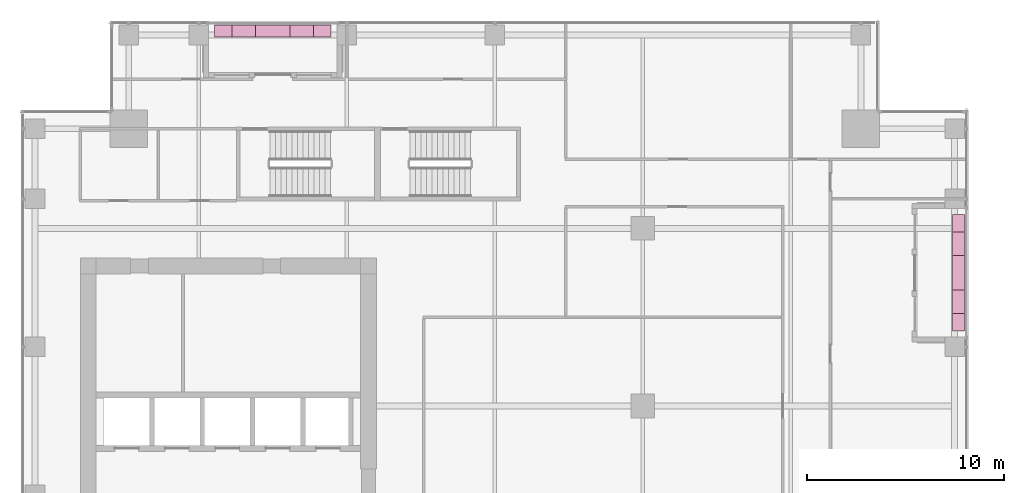
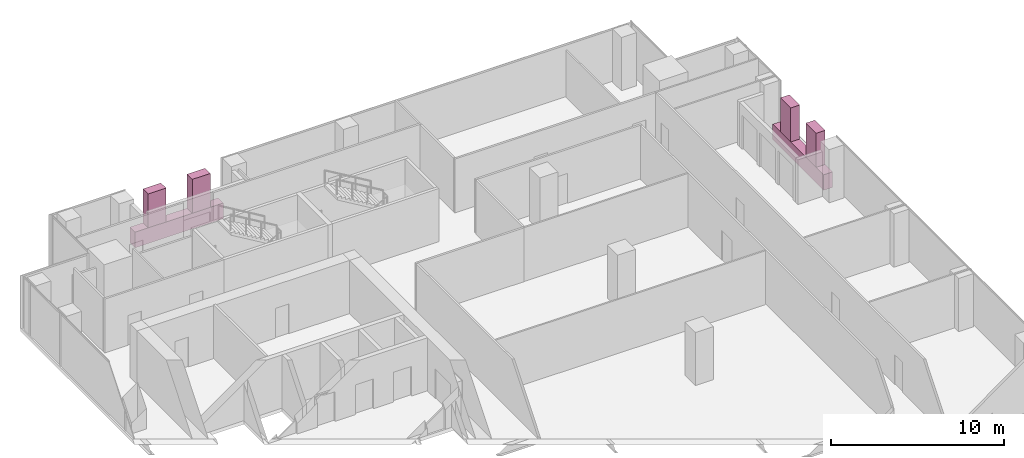
# One storey, part 40 of 40: 6 furnishings.
"""IFC4 building model written with IfcOpenShell, lengths in metres."""

from ifc_helpers import new_model, si_unit, direction, frame, origin, origin_2d, place, context, subcontext, project, spatial, rectangle, extrude, source, transform, mapped, material, type_object, element, save


model = new_model("IFC4")

# Units and contexts
model_context = context("Model", 3, precision=1e-05, world=origin(), true_north=direction((0.0, 1.0)))
body_context = subcontext(model_context, "Body", "Model", "MODEL_VIEW")
ifc_project = project(units=[si_unit("LENGTHUNIT", "METRE"), si_unit("AREAUNIT", "SQUARE_METRE"), si_unit("VOLUMEUNIT", "CUBIC_METRE"), si_unit("PLANEANGLEUNIT", "RADIAN"), si_unit("MASSUNIT", "GRAM", prefix="KILO")], contexts=[model_context])

# Site, building, storey
site_placement = place(None, origin())
site = spatial("IfcSite", under=ifc_project, at=site_placement, CompositionType="ELEMENT")
building_placement = place(site_placement, origin())
building = spatial("IfcBuilding", under=site, at=building_placement, Name="Khomas Fold Tower", CompositionType="ELEMENT")
storey_placement = place(building_placement, frame((0.0, 0.0, 192.699951171875)))
storey = spatial("IfcBuildingStorey", under=building, at=storey_placement, Name="L42", CompositionType="ELEMENT", Elevation=192.699951171875)

# Furnishings
ifc_material_1 = material(Name="Precast concrete C40/50", Category="concrete")
furnishing_element_type_1 = type_object("IfcFurnishingElementType", Name="BL-Structural planter box", material=ifc_material_1)
shared_shape_1 = source(origin(), body_context, "Body", "SweptSolid", [
    extrude(rectangle(XDim=5.89990234375, YDim=0.60009765625, at=origin_2d()), origin(), (0.0, 0.0, 1.0), 1.10009765625),
])
for number, where, z_axis, x_axis, name in (
    (1, (50.5, 38.25, -0.044921875), (0.0, 0.0, 1.0), (0.0, 1.0, 0.0), "PLANTER BAL-L42-E4"),
    (2, (15.75, 50.5, -0.044921875), (0.0, 0.0, 1.0), (1.0, 0.0, 0.0), "PLANTER BAL-L42-N1"),
):
    element("IfcFurnishingElement", number, at=place(storey_placement, frame(where, z_axis=z_axis, x_axis=x_axis)), inside=storey, type_object=furnishing_element_type_1, Name=name, context=body_context, shape_type="MappedRepresentation", body=[
        mapped(shared_shape_1, transform((0.0, 0.0, 0.0))),
    ])
ifc_material_2 = material(Name="Planting")
furnishing_element_type_2 = type_object("IfcFurnishingElementType", Name="BL-Tree Shepherd's tree", material=ifc_material_2)
shared_shape_2 = source(origin(), body_context, "Body", "SweptSolid", [
    extrude(rectangle(XDim=1.199951171875, YDim=0.60009765625, at=origin_2d()), origin(), (0.0, 0.0, 1.0), 2.39501953125),
])
furnishing_1_placement = place(storey_placement, frame((50.5, 36.77490234375, 1.054931640625), z_axis=(0.0, 0.0, 1.0), x_axis=(0.0, 1.0, 0.0)))
element("IfcFurnishingElement", 3, at=furnishing_1_placement, inside=storey, type_object=furnishing_element_type_2, Name="PLANTER (TREE) Shepherd's tree BAL-L42-E4-1", context=body_context, shape_type="MappedRepresentation", body=[
    mapped(shared_shape_2, transform((0.0, 0.0, 0.0))),
])
ifc_material_3 = material(Name="Planting")
furnishing_element_type_3 = type_object("IfcFurnishingElementType", Name="BL-Tree Karee", material=ifc_material_3)
furnishing_2_placement = place(storey_placement, frame((50.5, 39.72509765625, 1.054931640625), z_axis=(0.0, 0.0, 1.0), x_axis=(0.0, 1.0, 0.0)))
element("IfcFurnishingElement", 4, at=furnishing_2_placement, inside=storey, type_object=furnishing_element_type_3, Name="PLANTER (TREE) Karee BAL-L42-E4-2", context=body_context, shape_type="MappedRepresentation", body=[
    mapped(shared_shape_2, transform((0.0, 0.0, 0.0))),
])
furnishing_3_placement = place(storey_placement, frame((14.27490234375, 50.5, 1.054931640625), z_axis=(0.0, 0.0, 1.0), x_axis=(1.0, 0.0, 0.0)))
element("IfcFurnishingElement", 5, at=furnishing_3_placement, inside=storey, type_object=furnishing_element_type_2, Name="PLANTER (TREE) Shepherd's tree BAL-L42-N1-1", context=body_context, shape_type="MappedRepresentation", body=[
    mapped(shared_shape_2, transform((0.0, 0.0, 0.0))),
])
furnishing_4_placement = place(storey_placement, frame((17.22509765625, 50.5, 1.054931640625), z_axis=(0.0, 0.0, 1.0), x_axis=(1.0, 0.0, 0.0)))
element("IfcFurnishingElement", 6, at=furnishing_4_placement, inside=storey, type_object=furnishing_element_type_3, Name="PLANTER (TREE) Karee BAL-L42-N1-2", context=body_context, shape_type="MappedRepresentation", body=[
    mapped(shared_shape_2, transform((0.0, 0.0, 0.0))),
])

save(model, "model.ifc")
